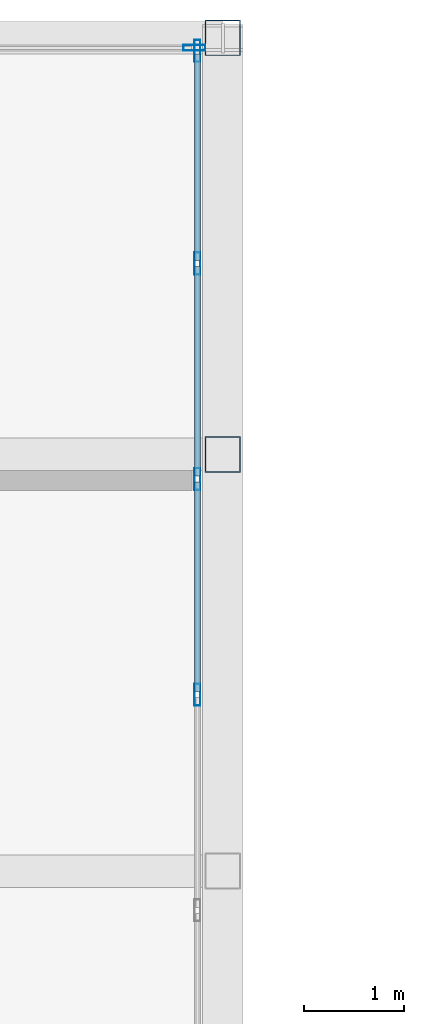
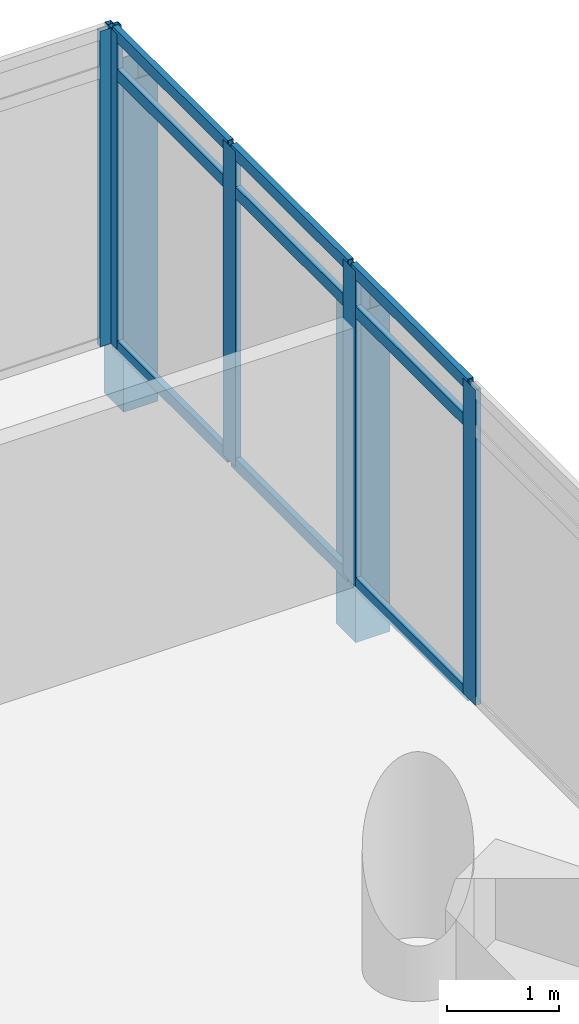
# One storey, part 28 of 38: 16 members, 2 elements without a shape of their own.
"""IFC4 building model written with IfcOpenShell, lengths in metres."""

from ifc_helpers import new_model, si_unit, direction, frame, origin, origin_2d, place, context, subcontext, project, spatial, hollow_rectangle, extrude, material, material_profile, profile_set, type_object, element, aggregate, save


model = new_model("IFC4")

# Units and contexts
model_context = context("Model", 3, precision=1e-05, world=origin(), true_north=direction((0.0, 1.0)))
body_context = subcontext(model_context, "Body", "Model", "MODEL_VIEW")
ifc_project = project(units=[si_unit("LENGTHUNIT", "METRE"), si_unit("AREAUNIT", "SQUARE_METRE"), si_unit("VOLUMEUNIT", "CUBIC_METRE"), si_unit("PLANEANGLEUNIT", "RADIAN"), si_unit("MASSUNIT", "GRAM", prefix="KILO")], contexts=[model_context])

# Site, building, storey
site_placement = place(None, origin())
site = spatial("IfcSite", under=ifc_project, at=site_placement, CompositionType="ELEMENT")
building_placement = place(site_placement, origin())
building = spatial("IfcBuilding", under=site, at=building_placement, Name="Ostrander Bayou Hotel Tower", CompositionType="ELEMENT")
storey_placement = place(building_placement, frame((0.0, 0.0, 194.5)))
storey = spatial("IfcBuildingStorey", under=building, at=storey_placement, Name="L48", CompositionType="ELEMENT", Elevation=194.5)

# Curtain wall, member
ifc_material_1 = material(Name="Aluminium and clear glass", Category="aluminium")
curtain_wall_type = type_object("IfcCurtainWallType", Name="CW-BAR glazed wall", PredefinedType="NOTDEFINED", material=ifc_material_1)
curtain_wall_1_placement = place(storey_placement, origin())
curtain_wall_1 = element("IfcCurtainWall", 1, at=curtain_wall_1_placement, inside=storey, type_object=curtain_wall_type, Name="CW-BAR L48:SB4N:T", PredefinedType="NOTDEFINED")
ifc_material_2 = material(Name="Aluminium", Category="aluminium")
ifc_material_profile_1 = material_profile(ifc_material_2, hollow_rectangle(XDim=0.06005859375, YDim=0.219970703125, WallThickness=0.00390625, at=origin_2d()))
ifc_profile_set_1 = profile_set([ifc_material_profile_1], Name="Aluminium")
member_type_1 = type_object("IfcMemberType", Name="CW-BR mullion 60 x 220 mm", PredefinedType="MULLION", material=ifc_profile_set_1)
member_1_placement = place(storey_placement, frame((11.8271484375, 27.916015625, 0.0), z_axis=(0.0, 0.0, 1.0), x_axis=(0.0, 1.0, 0.0)))
member_1 = element("IfcMember", 2, at=member_1_placement, type_object=member_type_1, Name="CW-BAR mullion 12", PredefinedType="MULLION", context=body_context, shape_type="SweptSolid", body=[
    extrude(hollow_rectangle(XDim=0.06005859375, YDim=0.219970703125, WallThickness=0.00390625, at=origin_2d()), origin(), (0.0, 0.0, 1.0), 3.449951171875),
])
aggregate(curtain_wall_1, [member_1])

# Curtain wall, members
curtain_wall_2_placement = place(storey_placement, origin())
curtain_wall_2 = element("IfcCurtainWall", 3, at=curtain_wall_2_placement, inside=storey, type_object=curtain_wall_type, Name="CW-BAR L48:SB4N:W", PredefinedType="NOTDEFINED")
member_2_placement = place(storey_placement, frame((11.857177734375, 21.465576171875, 0.0), z_axis=(0.0, 0.0, 1.0), x_axis=(-1.0, 0.0, 0.0)))
member_2 = element("IfcMember", 4, at=member_2_placement, type_object=member_type_1, Name="CW-BAR mullion 7", PredefinedType="MULLION", context=body_context, shape_type="SweptSolid", body=[
    extrude(hollow_rectangle(XDim=0.06005859375, YDim=0.219970703125, WallThickness=0.00390625, at=origin_2d()), origin(), (0.0, 0.0, 1.0), 3.449951171875),
])
member_3_placement = place(storey_placement, frame((11.857177734375, 23.61572265625, 0.0), z_axis=(0.0, 0.0, 1.0), x_axis=(-1.0, 0.0, 0.0)))
member_3 = element("IfcMember", 5, at=member_3_placement, type_object=member_type_1, Name="CW-BAR mullion 8", PredefinedType="MULLION", context=body_context, shape_type="SweptSolid", body=[
    extrude(hollow_rectangle(XDim=0.06005859375, YDim=0.219970703125, WallThickness=0.00390625, at=origin_2d()), origin(), (0.0, 0.0, 1.0), 3.449951171875),
])
member_4_placement = place(storey_placement, frame((11.857177734375, 25.765869140625, 0.0), z_axis=(0.0, 0.0, 1.0), x_axis=(-1.0, 0.0, 0.0)))
member_4 = element("IfcMember", 6, at=member_4_placement, type_object=member_type_1, Name="CW-BAR mullion 9", PredefinedType="MULLION", context=body_context, shape_type="SweptSolid", body=[
    extrude(hollow_rectangle(XDim=0.06005859375, YDim=0.219970703125, WallThickness=0.00390625, at=origin_2d()), origin(), (0.0, 0.0, 1.0), 3.449951171875),
])
member_5_placement = place(storey_placement, frame((11.857177734375, 27.885986328125, 0.0), z_axis=(0.0, 0.0, 1.0), x_axis=(-1.0, 0.0, 0.0)))
member_5 = element("IfcMember", 7, at=member_5_placement, type_object=member_type_1, Name="CW-BAR mullion 10", PredefinedType="MULLION", context=body_context, shape_type="SweptSolid", body=[
    extrude(hollow_rectangle(XDim=0.06005859375, YDim=0.219970703125, WallThickness=0.00390625, at=origin_2d()), origin(), (0.0, 0.0, 1.0), 3.449951171875),
])
ifc_material_3 = material(Name="Aluminium", Category="aluminium")
ifc_material_profile_2 = material_profile(ifc_material_3, hollow_rectangle(XDim=0.06005859375, YDim=0.1298828125, WallThickness=0.00390625, at=origin_2d()))
ifc_profile_set_2 = profile_set([ifc_material_profile_2], Name="Aluminium")
member_type_2 = type_object("IfcMemberType", Name="CW-BR transom 60 x 130 mm", PredefinedType="USERDEFINED", material=ifc_profile_set_2)
member_6_placement = place(storey_placement, frame((11.857177734375, 21.49560546875, 0.030029296875), z_axis=(0.0, 1.0, 0.0), x_axis=(-1.0, 0.0, 0.0)))
member_6 = element("IfcMember", 8, at=member_6_placement, type_object=member_type_2, Name="CW-BAR transom 7.1", ObjectType="TRANSOM", PredefinedType="USERDEFINED", context=body_context, shape_type="SweptSolid", body=[
    extrude(hollow_rectangle(XDim=0.06005859375, YDim=0.1298828125, WallThickness=0.00390625, at=origin_2d()), origin(), (0.0, 0.0, 1.0), 2.090087890625),
])
member_7_placement = place(storey_placement, frame((11.857177734375, 21.49560546875, 3.0), z_axis=(0.0, 1.0, 0.0), x_axis=(-1.0, 0.0, 0.0)))
member_7 = element("IfcMember", 9, at=member_7_placement, type_object=member_type_2, Name="CW-BAR transom 7.2", ObjectType="TRANSOM", PredefinedType="USERDEFINED", context=body_context, shape_type="SweptSolid", body=[
    extrude(hollow_rectangle(XDim=0.06005859375, YDim=0.1298828125, WallThickness=0.00390625, at=origin_2d()), origin(), (0.0, 0.0, 1.0), 2.090087890625),
])
member_8_placement = place(storey_placement, frame((11.857177734375, 21.49560546875, 3.419921875), z_axis=(0.0, 1.0, 0.0), x_axis=(-1.0, 0.0, 0.0)))
member_8 = element("IfcMember", 10, at=member_8_placement, type_object=member_type_2, Name="CW-BAR transom 7.3", ObjectType="TRANSOM", PredefinedType="USERDEFINED", context=body_context, shape_type="SweptSolid", body=[
    extrude(hollow_rectangle(XDim=0.06005859375, YDim=0.1298828125, WallThickness=0.00390625, at=origin_2d()), origin(), (0.0, 0.0, 1.0), 2.090087890625),
])
member_9_placement = place(storey_placement, frame((11.857177734375, 23.645751953125, 0.030029296875), z_axis=(0.0, 1.0, 0.0), x_axis=(-1.0, 0.0, 0.0)))
member_9 = element("IfcMember", 11, at=member_9_placement, type_object=member_type_2, Name="CW-BAR transom 8.1", ObjectType="TRANSOM", PredefinedType="USERDEFINED", context=body_context, shape_type="SweptSolid", body=[
    extrude(hollow_rectangle(XDim=0.06005859375, YDim=0.1298828125, WallThickness=0.00390625, at=origin_2d()), origin(), (0.0, 0.0, 1.0), 2.090087890625),
])
member_10_placement = place(storey_placement, frame((11.857177734375, 23.645751953125, 3.0), z_axis=(0.0, 1.0, 0.0), x_axis=(-1.0, 0.0, 0.0)))
member_10 = element("IfcMember", 12, at=member_10_placement, type_object=member_type_2, Name="CW-BAR transom 8.2", ObjectType="TRANSOM", PredefinedType="USERDEFINED", context=body_context, shape_type="SweptSolid", body=[
    extrude(hollow_rectangle(XDim=0.06005859375, YDim=0.1298828125, WallThickness=0.00390625, at=origin_2d()), origin(), (0.0, 0.0, 1.0), 2.090087890625),
])
member_11_placement = place(storey_placement, frame((11.857177734375, 23.645751953125, 3.419921875), z_axis=(0.0, 1.0, 0.0), x_axis=(-1.0, 0.0, 0.0)))
member_11 = element("IfcMember", 13, at=member_11_placement, type_object=member_type_2, Name="CW-BAR transom 8.3", ObjectType="TRANSOM", PredefinedType="USERDEFINED", context=body_context, shape_type="SweptSolid", body=[
    extrude(hollow_rectangle(XDim=0.06005859375, YDim=0.1298828125, WallThickness=0.00390625, at=origin_2d()), origin(), (0.0, 0.0, 1.0), 2.090087890625),
])
member_12_placement = place(storey_placement, frame((11.857177734375, 25.7958984375, 0.030029296875), z_axis=(0.0, 1.0, 0.0), x_axis=(-1.0, 0.0, 0.0)))
member_12 = element("IfcMember", 14, at=member_12_placement, type_object=member_type_2, Name="CW-BAR transom 9.1", ObjectType="TRANSOM", PredefinedType="USERDEFINED", context=body_context, shape_type="SweptSolid", body=[
    extrude(hollow_rectangle(XDim=0.06005859375, YDim=0.1298828125, WallThickness=0.00390625, at=origin_2d()), origin(), (0.0, 0.0, 1.0), 2.060302734375),
])
member_13_placement = place(storey_placement, frame((11.857177734375, 25.7958984375, 3.0), z_axis=(0.0, 1.0, 0.0), x_axis=(-1.0, 0.0, 0.0)))
member_13 = element("IfcMember", 15, at=member_13_placement, type_object=member_type_2, Name="CW-BAR transom 9.2", ObjectType="TRANSOM", PredefinedType="USERDEFINED", context=body_context, shape_type="SweptSolid", body=[
    extrude(hollow_rectangle(XDim=0.06005859375, YDim=0.1298828125, WallThickness=0.00390625, at=origin_2d()), origin(), (0.0, 0.0, 1.0), 2.060302734375),
])
member_14_placement = place(storey_placement, frame((11.857177734375, 25.7958984375, 3.419921875), z_axis=(0.0, 1.0, 0.0), x_axis=(-1.0, 0.0, 0.0)))
member_14 = element("IfcMember", 16, at=member_14_placement, type_object=member_type_2, Name="CW-BAR transom 9.3", ObjectType="TRANSOM", PredefinedType="USERDEFINED", context=body_context, shape_type="SweptSolid", body=[
    extrude(hollow_rectangle(XDim=0.06005859375, YDim=0.1298828125, WallThickness=0.00390625, at=origin_2d()), origin(), (0.0, 0.0, 1.0), 2.060302734375),
])
aggregate(curtain_wall_2, [member_2, member_3, member_4, member_5, member_6, member_7, member_8, member_9, member_10, member_11, member_12, member_13, member_14])

# Members
ifc_material_4 = material(Name="Steel ASTM A500 Gr C", Category="steel")
ifc_material_profile_3 = material_profile(ifc_material_4, hollow_rectangle(XDim=0.355712890625, YDim=0.355712890625, WallThickness=0.0087890625, at=origin_2d()))
ifc_profile_set_3 = profile_set([ifc_material_profile_3], Name="Steel ASTM A500 Gr C")
member_type_3 = type_object("IfcMemberType", Name="TH3 bar hanger HSS14x14x3/8", PredefinedType="POST", material=ifc_profile_set_3)
for number, where, z_axis, x_axis, name in (
    (17, (12.110107421875, 28.01611328125, -0.760986328125), (0.0, 0.0, 1.0), (1.0, 0.0, 0.0), "TH3 SB4WB H1-1"),
    (18, (12.110107421875, 23.861328125, -0.760986328125), (0.0, 0.0, 1.0), (1.0, 0.0, 0.0), "TH3 SB4WB H2-1"),
):
    element("IfcMember", number, at=place(storey_placement, frame(where, z_axis=z_axis, x_axis=x_axis)), inside=storey, type_object=member_type_3, Name=name, PredefinedType="POST", context=body_context, shape_type="SweptSolid", body=[
        extrude(hollow_rectangle(XDim=0.355712890625, YDim=0.355712890625, WallThickness=0.0087890625, at=origin_2d()), origin(), (0.0, 0.0, 1.0), 3.599853515625),
    ])

save(model, "model.ifc")
